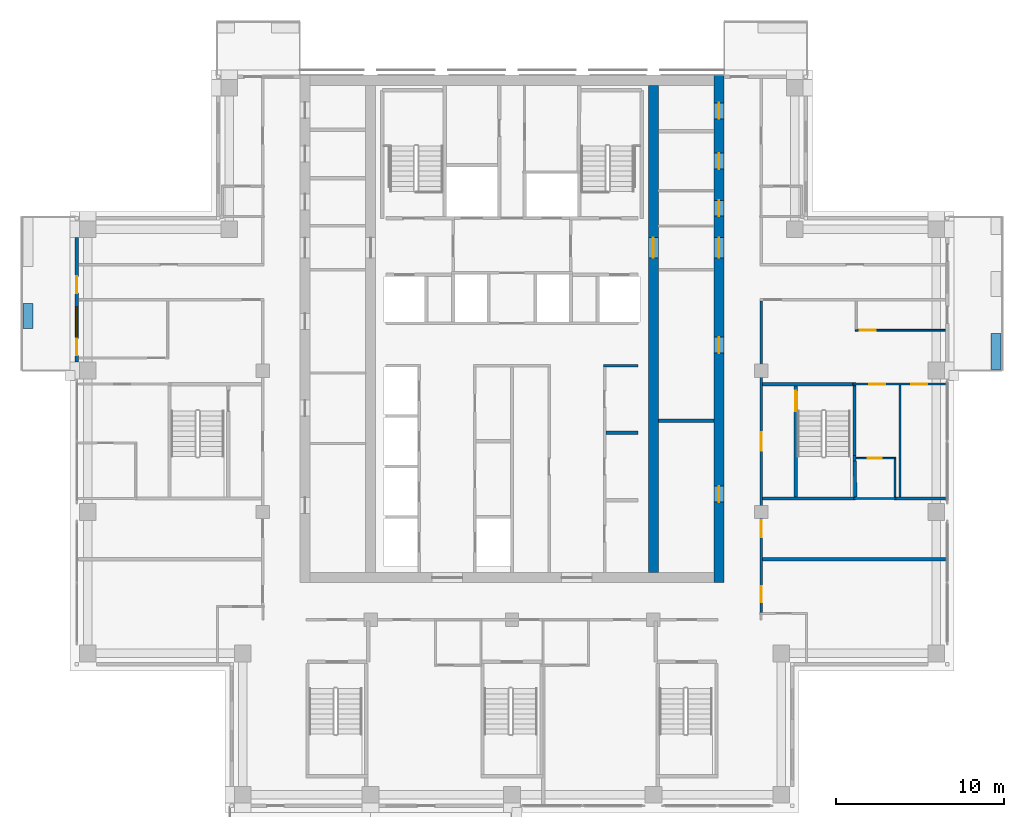
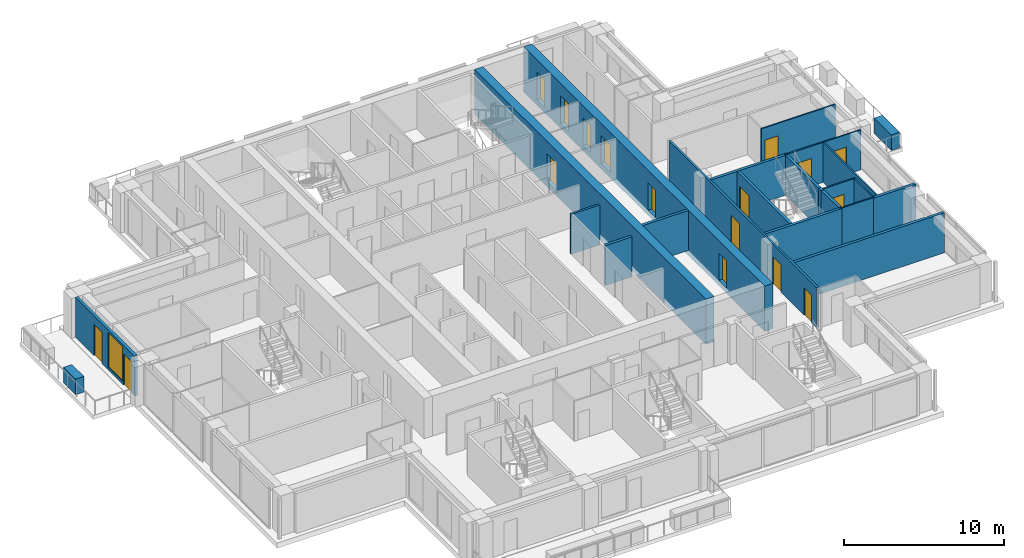
# One storey, part 9 of 15: 23 walls, 17 doors, 1 window, 18 openings.
"""IFC4 building model written with IfcOpenShell, lengths in metres."""

from ifc_helpers import new_model, si_unit, direction, frame, frame_2d, origin, place, context, subcontext, project, spatial, rectangle, extrude, material, layer, layer_set, type_object, element, fill, save


model = new_model("IFC4")

# Units and contexts
model_context = context("Model", 3, precision=1e-05, world=origin(), true_north=direction((0.0, 1.0)))
body_context = subcontext(model_context, "Body", "Model", "MODEL_VIEW")
ifc_project = project(units=[si_unit("LENGTHUNIT", "METRE"), si_unit("AREAUNIT", "SQUARE_METRE"), si_unit("VOLUMEUNIT", "CUBIC_METRE"), si_unit("PLANEANGLEUNIT", "RADIAN"), si_unit("MASSUNIT", "GRAM", prefix="KILO")], contexts=[model_context])

# Site, building, storey
site_placement = place(None, origin())
site = spatial("IfcSite", under=ifc_project, at=site_placement, CompositionType="ELEMENT")
building_placement = place(site_placement, origin())
building = spatial("IfcBuilding", under=site, at=building_placement, Name="Vermilion Ogive Tower", CompositionType="ELEMENT")
storey_placement = place(building_placement, frame((0.0, 0.0, 210.050048828125)))
storey = spatial("IfcBuildingStorey", under=building, at=storey_placement, Name="L55", CompositionType="ELEMENT", Elevation=210.050048828125)

# Wall, openings, doors
ifc_material_1 = material(Name="Concrete B60", Category="concrete")
ifc_layer_1 = layer(ifc_material_1, 0.60009765625)
ifc_layer_set_1 = layer_set([ifc_layer_1], Name="Core wall 600 B60")
wall_type_1 = type_object("IfcWallType", Name="Core wall 600 B60", PredefinedType="SHEAR", material=ifc_layer_set_1)
wall_1_placement = place(storey_placement, frame((12.300048828125, -8.39990234375, -0.400146484375), z_axis=(0.0, 0.0, 1.0), x_axis=(0.0, 1.0, 0.0)))
wall_1 = element("IfcWall", 1, at=wall_1_placement, inside=storey, type_object=wall_type_1, Name="L55-CORE-E", PredefinedType="SHEAR", context=body_context, shape_type="SweptSolid", body=[
    extrude(rectangle(XDim=30.14990234375, YDim=0.60009765625, at=frame_2d((15.074951171875, 0.0))), origin(), (0.0, 0.0, 1.0), 3.4501953125),
])
opening_1_placement = place(wall_1_placement, frame((4.78759765625, 0.0, 0.39990234375)))
opening_1 = element("IfcOpeningElement", 2, at=opening_1_placement, cuts=wall_1, Name="Opening DAC089", PredefinedType="OPENING", context=body_context, shape_type="SweptSolid", body=[
    extrude(rectangle(XDim=0.949951171875, YDim=2.10009765625, at=frame_2d((0.47509765625, 1.050048828125))), frame((0.0, 0.31005859375, 0.0), z_axis=(0.0, -1.0, 0.0), x_axis=(1.0, 0.0, 0.0)), (0.0, 0.0, 1.0), 0.6201171875),
])
opening_2_placement = place(wall_1_placement, frame((13.6376953125, 0.0, 0.39990234375)))
opening_2 = element("IfcOpeningElement", 3, at=opening_2_placement, cuts=wall_1, Name="Opening DAC090", PredefinedType="OPENING", context=body_context, shape_type="SweptSolid", body=[
    extrude(rectangle(XDim=0.949951171875, YDim=2.10009765625, at=frame_2d((0.47509765625, 1.050048828125))), frame((0.0, 0.31005859375, 0.0), z_axis=(0.0, -1.0, 0.0), x_axis=(1.0, 0.0, 0.0)), (0.0, 0.0, 1.0), 0.6201171875),
])
opening_3_placement = place(wall_1_placement, frame((21.7705078125, 0.0, 0.39990234375)))
opening_3 = element("IfcOpeningElement", 4, at=opening_3_placement, cuts=wall_1, Name="Opening DAC091", PredefinedType="OPENING", context=body_context, shape_type="SweptSolid", body=[
    extrude(rectangle(XDim=0.949951171875, YDim=2.10009765625, at=frame_2d((0.47509765625, 1.050048828125))), frame((0.0, 0.31005859375, 0.0), z_axis=(0.0, -1.0, 0.0), x_axis=(1.0, 0.0, 0.0)), (0.0, 0.0, 1.0), 0.6201171875),
])
opening_4_placement = place(wall_1_placement, frame((24.57568359375, 0.0, 0.39990234375)))
opening_4 = element("IfcOpeningElement", 5, at=opening_4_placement, cuts=wall_1, Name="Opening DAC092", PredefinedType="OPENING", context=body_context, shape_type="SweptSolid", body=[
    extrude(rectangle(XDim=0.949951171875, YDim=2.10009765625, at=frame_2d((0.47509765625, 1.050048828125))), frame((0.0, 0.31005859375, 0.0), z_axis=(0.0, -1.0, 0.0), x_axis=(1.0, 0.0, 0.0)), (0.0, 0.0, 1.0), 0.6201171875),
])
opening_5_placement = place(wall_1_placement, frame((27.555419921875, 0.0, 0.39990234375)))
opening_5 = element("IfcOpeningElement", 6, at=opening_5_placement, cuts=wall_1, Name="Opening DAC093", PredefinedType="OPENING", context=body_context, shape_type="SweptSolid", body=[
    extrude(rectangle(XDim=0.949951171875, YDim=2.10009765625, at=frame_2d((0.47509765625, 1.050048828125))), frame((0.0, 0.31005859375, 0.0), z_axis=(0.0, -1.0, 0.0), x_axis=(1.0, 0.0, 0.0)), (0.0, 0.0, 1.0), 0.6201171875),
])
opening_6_placement = place(wall_1_placement, frame((19.300048828125, 0.0, 0.39990234375)))
opening_6 = element("IfcOpeningElement", 7, at=opening_6_placement, cuts=wall_1, Name="Opening DAL022", PredefinedType="OPENING", context=body_context, shape_type="SweptSolid", body=[
    extrude(rectangle(XDim=1.199951171875, YDim=2.10009765625, at=frame_2d((0.60009765625, 1.050048828125))), frame((0.0, 0.31005859375, 0.0), z_axis=(0.0, -1.0, 0.0), x_axis=(1.0, 0.0, 0.0)), (0.0, 0.0, 1.0), 0.6201171875),
])
ifc_material_2 = material(Name="Timber door leaf", Category="wood")
door_type_1 = type_object("IfcDoorType", Name="Link door 1200 x 2100 FD60S", OperationType="SINGLE_SWING_LEFT", PredefinedType="DOOR", material=ifc_material_2)
door_1_placement = place(opening_6_placement, origin())
door_1 = element("IfcDoor", 8, at=door_1_placement, inside=storey, type_object=door_type_1, Name="L55-CKE-XL", OperationType="SINGLE_SWING_LEFT", OverallHeight=2.10009765625, OverallWidth=1.199951171875, PredefinedType="DOOR", context=body_context, shape_type="SweptSolid", body=[
    extrude(rectangle(XDim=1.199951171875, YDim=2.10009765625, at=frame_2d((0.60009765625, 1.050048828125))), frame((0.0, 0.02490234375, 0.0), z_axis=(0.0, -1.0, 0.0), x_axis=(1.0, 0.0, 0.0)), (0.0, 0.0, 1.0), 0.050048828125),
])
fill(opening_6, door_1)
ifc_material_3 = material(Name="Timber door leaf", Category="wood")
door_type_2 = type_object("IfcDoorType", Name="Service door 950 x 2100 FD60", OperationType="SINGLE_SWING_LEFT", PredefinedType="DOOR", material=ifc_material_3)
door_2_placement = place(opening_1_placement, origin())
door_2 = element("IfcDoor", 9, at=door_2_placement, inside=storey, type_object=door_type_2, Name="L55-CKE-XR0", OperationType="SINGLE_SWING_LEFT", OverallHeight=2.10009765625, OverallWidth=0.949951171875, PredefinedType="DOOR", context=body_context, shape_type="SweptSolid", body=[
    extrude(rectangle(XDim=0.949951171875, YDim=2.10009765625, at=frame_2d((0.47509765625, 1.050048828125))), frame((0.0, 0.02490234375, 0.0), z_axis=(0.0, -1.0, 0.0), x_axis=(1.0, 0.0, 0.0)), (0.0, 0.0, 1.0), 0.050048828125),
])
fill(opening_1, door_2)
door_3_placement = place(opening_2_placement, origin())
door_3 = element("IfcDoor", 10, at=door_3_placement, inside=storey, type_object=door_type_2, Name="L55-CKE-XR1", OperationType="SINGLE_SWING_LEFT", OverallHeight=2.10009765625, OverallWidth=0.949951171875, PredefinedType="DOOR", context=body_context, shape_type="SweptSolid", body=[
    extrude(rectangle(XDim=0.949951171875, YDim=2.10009765625, at=frame_2d((0.47509765625, 1.050048828125))), frame((0.0, 0.02490234375, 0.0), z_axis=(0.0, -1.0, 0.0), x_axis=(1.0, 0.0, 0.0)), (0.0, 0.0, 1.0), 0.050048828125),
])
fill(opening_2, door_3)
door_4_placement = place(opening_3_placement, origin())
door_4 = element("IfcDoor", 11, at=door_4_placement, inside=storey, type_object=door_type_2, Name="L55-CKE-XR2", OperationType="SINGLE_SWING_LEFT", OverallHeight=2.10009765625, OverallWidth=0.949951171875, PredefinedType="DOOR", context=body_context, shape_type="SweptSolid", body=[
    extrude(rectangle(XDim=0.949951171875, YDim=2.10009765625, at=frame_2d((0.47509765625, 1.050048828125))), frame((0.0, 0.02490234375, 0.0), z_axis=(0.0, -1.0, 0.0), x_axis=(1.0, 0.0, 0.0)), (0.0, 0.0, 1.0), 0.050048828125),
])
fill(opening_3, door_4)
door_5_placement = place(opening_4_placement, origin())
door_5 = element("IfcDoor", 12, at=door_5_placement, inside=storey, type_object=door_type_2, Name="L55-CKE-XR3", OperationType="SINGLE_SWING_LEFT", OverallHeight=2.10009765625, OverallWidth=0.949951171875, PredefinedType="DOOR", context=body_context, shape_type="SweptSolid", body=[
    extrude(rectangle(XDim=0.949951171875, YDim=2.10009765625, at=frame_2d((0.47509765625, 1.050048828125))), frame((0.0, 0.02490234375, 0.0), z_axis=(0.0, -1.0, 0.0), x_axis=(1.0, 0.0, 0.0)), (0.0, 0.0, 1.0), 0.050048828125),
])
fill(opening_4, door_5)
door_6_placement = place(opening_5_placement, origin())
door_6 = element("IfcDoor", 13, at=door_6_placement, inside=storey, type_object=door_type_2, Name="L55-CKE-XR4", OperationType="SINGLE_SWING_LEFT", OverallHeight=2.10009765625, OverallWidth=0.949951171875, PredefinedType="DOOR", context=body_context, shape_type="SweptSolid", body=[
    extrude(rectangle(XDim=0.949951171875, YDim=2.10009765625, at=frame_2d((0.47509765625, 1.050048828125))), frame((0.0, 0.02490234375, 0.0), z_axis=(0.0, -1.0, 0.0), x_axis=(1.0, 0.0, 0.0)), (0.0, 0.0, 1.0), 0.050048828125),
])
fill(opening_5, door_6)

# Wall, opening, door
wall_2_placement = place(storey_placement, frame((8.39990234375, -7.800048828125, -0.400146484375), z_axis=(0.0, 0.0, 1.0), x_axis=(0.0, 1.0, 0.0)))
wall_2 = element("IfcWall", 14, at=wall_2_placement, inside=storey, type_object=wall_type_1, Name="L55-CORE-WEB2", PredefinedType="SHEAR", context=body_context, shape_type="SweptSolid", body=[
    extrude(rectangle(XDim=28.949951171875, YDim=0.60009765625, at=frame_2d((14.47509765625, 0.0))), origin(), (0.0, 0.0, 1.0), 3.4501953125),
])
opening_7_placement = place(wall_2_placement, frame((18.699951171875, 0.0, 0.39990234375)))
opening_7 = element("IfcOpeningElement", 15, at=opening_7_placement, cuts=wall_2, Name="Opening DAO017", PredefinedType="OPENING", context=body_context, shape_type="SweptSolid", body=[
    extrude(rectangle(XDim=1.199951171875, YDim=2.10009765625, at=frame_2d((0.60009765625, 1.050048828125))), frame((0.0, 0.31005859375, 0.0), z_axis=(0.0, -1.0, 0.0), x_axis=(1.0, 0.0, 0.0)), (0.0, 0.0, 1.0), 0.6201171875),
])
door_7_placement = place(opening_7_placement, origin())
door_7 = element("IfcDoor", 16, at=door_7_placement, inside=storey, type_object=door_type_1, Name="L55-CKE-XW", OperationType="SINGLE_SWING_LEFT", OverallHeight=2.10009765625, OverallWidth=1.199951171875, PredefinedType="DOOR", context=body_context, shape_type="SweptSolid", body=[
    extrude(rectangle(XDim=1.199951171875, YDim=2.10009765625, at=frame_2d((0.60009765625, 1.050048828125))), frame((0.0, 0.02490234375, 0.0), z_axis=(0.0, -1.0, 0.0), x_axis=(1.0, 0.0, 0.0)), (0.0, 0.0, 1.0), 0.050048828125),
])
fill(opening_7, door_7)

# Wall
ifc_material_4 = material(Name="Gypsum board partition on steel studs", Category="steel")
ifc_layer_2 = layer(ifc_material_4, 0.10009765625)
ifc_layer_set_2 = layer_set([ifc_layer_2], Name="Partition 100 bath")
wall_type_2 = type_object("IfcWallType", Name="Partition 100 bath", PredefinedType="PARTITIONING", material=ifc_layer_set_2)
wall_3_placement = place(storey_placement, frame((20.300048828125, -3.39990234375, 0.0), z_axis=(0.0, 0.0, 1.0), x_axis=(1.0, 0.0, 0.0)))
element("IfcWall", 17, at=wall_3_placement, inside=storey, type_object=wall_type_2, Name="L55-W-W019", PredefinedType="PARTITIONING", context=body_context, shape_type="SweptSolid", body=[
    extrude(rectangle(XDim=2.5, YDim=0.10009765625, at=frame_2d((1.25, 0.0))), origin(), (0.0, 0.0, 1.0), 3.050048828125),
])

# Wall, opening, door
wall_4_placement = place(storey_placement, frame((20.449951171875, -1.0, 0.0), z_axis=(0.0, 0.0, 1.0), x_axis=(1.0, 0.0, 0.0)))
wall_4 = element("IfcWall", 18, at=wall_4_placement, inside=storey, type_object=wall_type_2, Name="L55-W-W021", PredefinedType="PARTITIONING", context=body_context, shape_type="SweptSolid", body=[
    extrude(rectangle(XDim=2.35009765625, YDim=0.10009765625, at=frame_2d((1.175048828125, 0.0))), origin(), (0.0, 0.0, 1.0), 3.050048828125),
])
opening_8_placement = place(wall_4_placement, frame((0.675048828125, 0.0, 0.0)))
opening_8 = element("IfcOpeningElement", 19, at=opening_8_placement, cuts=wall_4, Name="Opening D4G5019", PredefinedType="OPENING", context=body_context, shape_type="SweptSolid", body=[
    extrude(rectangle(XDim=0.85009765625, YDim=2.10009765625, at=frame_2d((0.425048828125, 1.050048828125))), frame((0.0, 0.06005859375, 0.0), z_axis=(0.0, -1.0, 0.0), x_axis=(1.0, 0.0, 0.0)), (0.0, 0.0, 1.0), 0.1201171875),
])
ifc_material_5 = material(Name="Timber door leaf", Category="wood")
door_type_3 = type_object("IfcDoorType", Name="Bath door 850 x 2100 FD30", OperationType="SINGLE_SWING_LEFT", PredefinedType="DOOR", material=ifc_material_5)
door_8_placement = place(opening_8_placement, origin())
door_8 = element("IfcDoor", 20, at=door_8_placement, inside=storey, type_object=door_type_3, Name="L55-D-D019", OperationType="SINGLE_SWING_RIGHT", OverallHeight=2.10009765625, OverallWidth=0.85009765625, PredefinedType="DOOR", context=body_context, shape_type="SweptSolid", body=[
    extrude(rectangle(XDim=0.85009765625, YDim=2.10009765625, at=frame_2d((0.425048828125, 1.050048828125))), frame((0.0, 0.02490234375, 0.0), z_axis=(0.0, -1.0, 0.0), x_axis=(1.0, 0.0, 0.0)), (0.0, 0.0, 1.0), 0.050048828125),
])
fill(opening_8, door_8)

# Wall
wall_5_placement = place(storey_placement, frame((22.75, -3.300048828125, 0.0), z_axis=(0.0, 0.0, 1.0), x_axis=(0.0, 1.0, 0.0)))
element("IfcWall", 21, at=wall_5_placement, inside=storey, type_object=wall_type_2, Name="L55-W-W070", PredefinedType="PARTITIONING", context=body_context, shape_type="SweptSolid", body=[
    extrude(rectangle(XDim=2.25, YDim=0.10009765625, at=frame_2d((1.125, 0.0))), origin(), (0.0, 0.0, 1.0), 3.050048828125),
])

# Wall, openings, doors
ifc_material_6 = material(Name="Gypsum board partition on steel studs", Category="steel")
ifc_layer_3 = layer(ifc_material_6, 0.10009765625)
ifc_layer_set_3 = layer_set([ifc_layer_3], Name="Partition 100 inner")
wall_type_3 = type_object("IfcWallType", Name="Partition 100 inner", PredefinedType="PARTITIONING", material=ifc_layer_set_3)
wall_6_placement = place(storey_placement, frame((20.25, 3.39990234375, 0.0), z_axis=(0.0, 0.0, 1.0), x_axis=(1.0, 0.0, 0.0)))
wall_6 = element("IfcWall", 22, at=wall_6_placement, inside=storey, type_object=wall_type_3, Name="L55-W-W026", PredefinedType="PARTITIONING", context=body_context, shape_type="SweptSolid", body=[
    extrude(rectangle(XDim=5.5, YDim=0.10009765625, at=frame_2d((2.75, 0.0))), origin(), (0.0, 0.0, 1.0), 3.050048828125),
])
opening_9_placement = place(wall_6_placement, frame((3.474853515625, 0.0, 0.0)))
opening_9 = element("IfcOpeningElement", 23, at=opening_9_placement, cuts=wall_6, Name="Opening D4G5015", PredefinedType="OPENING", context=body_context, shape_type="SweptSolid", body=[
    extrude(rectangle(XDim=0.949951171875, YDim=2.10009765625, at=frame_2d((0.47509765625, 1.050048828125))), frame((0.0, 0.06005859375, 0.0), z_axis=(0.0, -1.0, 0.0), x_axis=(1.0, 0.0, 0.0)), (0.0, 0.0, 1.0), 0.1201171875),
])
opening_10_placement = place(wall_6_placement, frame((0.97509765625, 0.0, 0.0)))
opening_10 = element("IfcOpeningElement", 24, at=opening_10_placement, cuts=wall_6, Name="Opening D4G5018", PredefinedType="OPENING", context=body_context, shape_type="SweptSolid", body=[
    extrude(rectangle(XDim=0.949951171875, YDim=2.10009765625, at=frame_2d((0.47509765625, 1.050048828125))), frame((0.0, 0.06005859375, 0.0), z_axis=(0.0, -1.0, 0.0), x_axis=(1.0, 0.0, 0.0)), (0.0, 0.0, 1.0), 0.1201171875),
])
ifc_material_7 = material(Name="Timber door leaf", Category="wood")
door_type_4 = type_object("IfcDoorType", Name="Inner door 950 x 2100 FD30", OperationType="SINGLE_SWING_LEFT", PredefinedType="DOOR", material=ifc_material_7)
door_9_placement = place(opening_9_placement, origin())
door_9 = element("IfcDoor", 25, at=door_9_placement, inside=storey, type_object=door_type_4, Name="L55-D-D015", OperationType="SINGLE_SWING_RIGHT", OverallHeight=2.10009765625, OverallWidth=0.949951171875, PredefinedType="DOOR", context=body_context, shape_type="SweptSolid", body=[
    extrude(rectangle(XDim=0.949951171875, YDim=2.10009765625, at=frame_2d((0.47509765625, 1.050048828125))), frame((0.0, 0.02490234375, 0.0), z_axis=(0.0, -1.0, 0.0), x_axis=(1.0, 0.0, 0.0)), (0.0, 0.0, 1.0), 0.050048828125),
])
fill(opening_9, door_9)
door_10_placement = place(opening_10_placement, origin())
door_10 = element("IfcDoor", 26, at=door_10_placement, inside=storey, type_object=door_type_4, Name="L55-D-D018", OperationType="SINGLE_SWING_RIGHT", OverallHeight=2.10009765625, OverallWidth=0.949951171875, PredefinedType="DOOR", context=body_context, shape_type="SweptSolid", body=[
    extrude(rectangle(XDim=0.949951171875, YDim=2.10009765625, at=frame_2d((0.47509765625, 1.050048828125))), frame((0.0, 0.02490234375, 0.0), z_axis=(0.0, -1.0, 0.0), x_axis=(1.0, 0.0, 0.0)), (0.0, 0.0, 1.0), 0.050048828125),
])
fill(opening_10, door_10)

# Wall, opening, door
wall_7_placement = place(storey_placement, frame((20.39990234375, 6.60009765625, 0.0), z_axis=(0.0, 0.0, 1.0), x_axis=(1.0, 0.0, 0.0)))
wall_7 = element("IfcWall", 27, at=wall_7_placement, inside=storey, type_object=wall_type_3, Name="L55-W-W028", PredefinedType="PARTITIONING", context=body_context, shape_type="SweptSolid", body=[
    extrude(rectangle(XDim=5.35009765625, YDim=0.10009765625, at=frame_2d((2.675048828125, 0.0))), origin(), (0.0, 0.0, 1.0), 3.050048828125),
])
opening_11_placement = place(wall_7_placement, frame((0.25, 0.0, 0.0)))
opening_11 = element("IfcOpeningElement", 28, at=opening_11_placement, cuts=wall_7, Name="Opening D4G5016", PredefinedType="OPENING", context=body_context, shape_type="SweptSolid", body=[
    extrude(rectangle(XDim=0.949951171875, YDim=2.10009765625, at=frame_2d((0.47509765625, 1.050048828125))), frame((0.0, 0.06005859375, 0.0), z_axis=(0.0, -1.0, 0.0), x_axis=(1.0, 0.0, 0.0)), (0.0, 0.0, 1.0), 0.1201171875),
])
door_11_placement = place(opening_11_placement, origin())
door_11 = element("IfcDoor", 29, at=door_11_placement, inside=storey, type_object=door_type_4, Name="L55-D-D016", OperationType="SINGLE_SWING_LEFT", OverallHeight=2.10009765625, OverallWidth=0.949951171875, PredefinedType="DOOR", context=body_context, shape_type="SweptSolid", body=[
    extrude(rectangle(XDim=0.949951171875, YDim=2.10009765625, at=frame_2d((0.47509765625, 1.050048828125))), frame((0.0, 0.02490234375, 0.0), z_axis=(0.0, -1.0, 0.0), x_axis=(1.0, 0.0, 0.0)), (0.0, 0.0, 1.0), 0.050048828125),
])
fill(opening_11, door_11)

# Wall
wall_8_placement = place(storey_placement, frame((23.050048828125, -3.300048828125, 0.0), z_axis=(0.0, 0.0, 1.0), x_axis=(0.0, 1.0, 0.0)))
element("IfcWall", 30, at=wall_8_placement, inside=storey, type_object=wall_type_3, Name="L55-W-W071", PredefinedType="PARTITIONING", context=body_context, shape_type="SweptSolid", body=[
    extrude(rectangle(XDim=6.650146484375, YDim=0.10009765625, at=frame_2d((3.3251953125, 0.0))), origin(), (0.0, 0.0, 1.0), 3.050048828125),
])

# Wall, openings, doors
ifc_material_8 = material(Name="Gypsum board partition on steel studs", Category="steel")
ifc_layer_4 = layer(ifc_material_8, 0.14990234375)
ifc_layer_set_4 = layer_set([ifc_layer_4], Name="Partition 150 corridor")
wall_type_4 = type_object("IfcWallType", Name="Partition 150 corridor", PredefinedType="PARTITIONING", material=ifc_layer_set_4)
wall_9_placement = place(storey_placement, frame((14.800048828125, -10.179931640625, 0.0), z_axis=(0.0, 0.0, 1.0), x_axis=(0.0, 1.0, 0.0)))
wall_9 = element("IfcWall", 31, at=wall_9_placement, inside=storey, type_object=wall_type_4, Name="L55-W-W060", PredefinedType="PARTITIONING", context=body_context, shape_type="SweptSolid", body=[
    extrude(rectangle(XDim=18.5048828125, YDim=0.14990234375, at=frame_2d((9.25244140625, 0.0))), origin(), (0.0, 0.0, 1.0), 3.050048828125),
])
opening_12_placement = place(wall_9_placement, frame((0.6298828125, 0.0, 0.0)))
opening_12 = element("IfcOpeningElement", 32, at=opening_12_placement, cuts=wall_9, Name="Opening D4G5013", PredefinedType="OPENING", context=body_context, shape_type="SweptSolid", body=[
    extrude(rectangle(XDim=0.949951171875, YDim=2.10009765625, at=frame_2d((0.47509765625, 1.050048828125))), frame((0.0, 0.0849609375, 0.0), z_axis=(0.0, -1.0, 0.0), x_axis=(1.0, 0.0, 0.0)), (0.0, 0.0, 1.0), 0.169921875),
])
opening_13_placement = place(wall_9_placement, frame((9.6298828125, 0.0, 0.0)))
opening_13 = element("IfcOpeningElement", 33, at=opening_13_placement, cuts=wall_9, Name="Opening D4G5028", PredefinedType="OPENING", context=body_context, shape_type="SweptSolid", body=[
    extrude(rectangle(XDim=1.10009765625, YDim=2.10009765625, at=frame_2d((0.550048828125, 1.050048828125))), frame((0.0, 0.0849609375, 0.0), z_axis=(0.0, -1.0, 0.0), x_axis=(1.0, 0.0, 0.0)), (0.0, 0.0, 1.0), 0.169921875),
])
opening_14_placement = place(wall_9_placement, frame((4.47998046875, 0.0, 0.0)))
opening_14 = element("IfcOpeningElement", 34, at=opening_14_placement, cuts=wall_9, Name="Opening D4G5033", PredefinedType="OPENING", context=body_context, shape_type="SweptSolid", body=[
    extrude(rectangle(XDim=1.0, YDim=2.10009765625, at=frame_2d((0.5, 1.050048828125))), frame((0.0, 0.0849609375, 0.0), z_axis=(0.0, -1.0, 0.0), x_axis=(1.0, 0.0, 0.0)), (0.0, 0.0, 1.0), 0.169921875),
])
ifc_material_9 = material(Name="Timber door leaf", Category="wood")
door_type_5 = type_object("IfcDoorType", Name="Stair door 1100 x 2100 FD60S", OperationType="SINGLE_SWING_LEFT", PredefinedType="DOOR", material=ifc_material_9)
door_12_placement = place(opening_13_placement, origin())
door_12 = element("IfcDoor", 35, at=door_12_placement, inside=storey, type_object=door_type_5, Name="L55-D-D028", OperationType="SINGLE_SWING_LEFT", OverallHeight=2.10009765625, OverallWidth=1.10009765625, PredefinedType="DOOR", context=body_context, shape_type="SweptSolid", body=[
    extrude(rectangle(XDim=1.10009765625, YDim=2.10009765625, at=frame_2d((0.550048828125, 1.050048828125))), frame((0.0, 0.02490234375, 0.0), z_axis=(0.0, -1.0, 0.0), x_axis=(1.0, 0.0, 0.0)), (0.0, 0.0, 1.0), 0.050048828125),
])
fill(opening_13, door_12)
ifc_material_10 = material(Name="Timber door leaf", Category="wood")
door_type_6 = type_object("IfcDoorType", Name="Unit door 1000 x 2100 FD30S", OperationType="SINGLE_SWING_LEFT", PredefinedType="DOOR", material=ifc_material_10)
door_13_placement = place(opening_14_placement, origin())
door_13 = element("IfcDoor", 36, at=door_13_placement, inside=storey, type_object=door_type_6, Name="L55-D-D033", OperationType="SINGLE_SWING_RIGHT", OverallHeight=2.10009765625, OverallWidth=1.0, PredefinedType="DOOR", context=body_context, shape_type="SweptSolid", body=[
    extrude(rectangle(XDim=1.0, YDim=2.10009765625, at=frame_2d((0.5, 1.050048828125))), frame((0.0, 0.02490234375, 0.0), z_axis=(0.0, -1.0, 0.0), x_axis=(1.0, 0.0, 0.0)), (0.0, 0.0, 1.0), 0.050048828125),
])
fill(opening_14, door_13)
ifc_material_11 = material(Name="Timber door leaf", Category="wood")
door_type_7 = type_object("IfcDoorType", Name="Unit door 950 x 2100 FD30S", OperationType="SINGLE_SWING_LEFT", PredefinedType="DOOR", material=ifc_material_11)
door_14_placement = place(opening_12_placement, origin())
door_14 = element("IfcDoor", 37, at=door_14_placement, inside=storey, type_object=door_type_7, Name="L55-D-D013", OperationType="SINGLE_SWING_RIGHT", OverallHeight=2.10009765625, OverallWidth=0.949951171875, PredefinedType="DOOR", context=body_context, shape_type="SweptSolid", body=[
    extrude(rectangle(XDim=0.949951171875, YDim=2.10009765625, at=frame_2d((0.47509765625, 1.050048828125))), frame((0.0, 0.02490234375, 0.0), z_axis=(0.0, -1.0, 0.0), x_axis=(1.0, 0.0, 0.0)), (0.0, 0.0, 1.0), 0.050048828125),
])
fill(opening_12, door_14)

# Walls
wall_10_placement = place(storey_placement, frame((5.425048828125, 4.5, 0.0), z_axis=(0.0, 0.0, 1.0), x_axis=(1.0, 0.0, 0.0)))
element("IfcWall", 38, at=wall_10_placement, inside=storey, type_object=wall_type_4, Name="L55-CK-W-W010", PredefinedType="PARTITIONING", context=body_context, shape_type="SweptSolid", body=[
    extrude(rectangle(XDim=2.074951171875, YDim=0.14990234375, at=frame_2d((1.03759765625, 0.0))), origin(), (0.0, 0.0, 1.0), 3.050048828125),
])
ifc_material_12 = material(Name="Gypsum board partition on steel studs", Category="steel")
ifc_layer_5 = layer(ifc_material_12, 0.199951171875)
ifc_layer_set_5 = layer_set([ifc_layer_5], Name="Partition 200 party")
wall_type_5 = type_object("IfcWallType", Name="Partition 200 party", PredefinedType="PARTITIONING", material=ifc_layer_set_5)
wall_11_placement = place(storey_placement, frame((14.875, -7.0, 0.0), z_axis=(0.0, 0.0, 1.0), x_axis=(1.0, 0.0, 0.0)))
element("IfcWall", 39, at=wall_11_placement, inside=storey, type_object=wall_type_5, Name="L55-W-W015", PredefinedType="PARTITIONING", context=body_context, shape_type="SweptSolid", body=[
    extrude(rectangle(XDim=10.875, YDim=0.199951171875, at=frame_2d((5.4375, 0.0))), origin(), (0.0, 0.0, 1.0), 3.050048828125),
])
wall_12_placement = place(storey_placement, frame((22.699951171875, -3.39990234375, 0.0), z_axis=(0.0, 0.0, 1.0), x_axis=(1.0, 0.0, 0.0)))
element("IfcWall", 40, at=wall_12_placement, inside=storey, type_object=wall_type_5, Name="L55-W-W020", PredefinedType="PARTITIONING", context=body_context, shape_type="SweptSolid", body=[
    extrude(rectangle(XDim=3.050048828125, YDim=0.199951171875, at=frame_2d((1.52490234375, 0.0))), origin(), (0.0, 0.0, 1.0), 3.050048828125),
])
wall_13_placement = place(storey_placement, frame((5.574951171875, 0.5, 0.0), z_axis=(0.0, 0.0, 1.0), x_axis=(1.0, 0.0, 0.0)))
element("IfcWall", 41, at=wall_13_placement, inside=storey, type_object=wall_type_5, Name="L55-CK-W-W006", PredefinedType="PARTITIONING", context=body_context, shape_type="SweptSolid", body=[
    extrude(rectangle(XDim=1.925048828125, YDim=0.199951171875, at=frame_2d((0.96240234375, 0.0))), origin(), (0.0, 0.0, 1.0), 3.050048828125),
])
wall_14_placement = place(storey_placement, frame((8.700927734375, 1.22509765625, 0.0), z_axis=(0.0, 0.0, 1.0), x_axis=(1.0, 0.0, 0.0)))
element("IfcWall", 42, at=wall_14_placement, inside=storey, type_object=wall_type_5, Name="L55-CKE-W-W001", PredefinedType="PARTITIONING", context=body_context, shape_type="SweptSolid", body=[
    extrude(rectangle(XDim=3.298095703125, YDim=0.199951171875, at=frame_2d((1.64892578125, 0.0))), origin(), (0.0, 0.0, 1.0), 3.050048828125),
])

# Wall, opening, door
ifc_material_13 = material(Name="Concrete B60", Category="concrete")
ifc_layer_6 = layer(ifc_material_13, 0.199951171875)
ifc_layer_set_6 = layer_set([ifc_layer_6], Name="Stair shaft wall 200 Concrete B60")
wall_type_6 = type_object("IfcWallType", Name="Stair shaft wall 200 Concrete B60", PredefinedType="SOLIDWALL", material=ifc_layer_set_6)
wall_15_placement = place(storey_placement, frame((16.85009765625, -3.300048828125, 0.0), z_axis=(0.0, 0.0, 1.0), x_axis=(0.0, 1.0, 0.0)))
wall_15 = element("IfcWall", 43, at=wall_15_placement, inside=storey, type_object=wall_type_6, Name="L55-W-W064", PredefinedType="SOLIDWALL", context=body_context, shape_type="SweptSolid", body=[
    extrude(rectangle(XDim=6.60009765625, YDim=0.199951171875, at=frame_2d((3.300048828125, 0.0))), origin(), (0.0, 0.0, 1.0), 3.050048828125),
])
opening_15_placement = place(wall_15_placement, frame((5.10009765625, 0.0, 0.0)))
opening_15 = element("IfcOpeningElement", 44, at=opening_15_placement, cuts=wall_15, Name="Opening D4G5029", PredefinedType="OPENING", context=body_context, shape_type="SweptSolid", body=[
    extrude(rectangle(XDim=1.199951171875, YDim=2.10009765625, at=frame_2d((0.60009765625, 1.050048828125))), frame((0.0, 0.10986328125, 0.0), z_axis=(0.0, -1.0, 0.0), x_axis=(1.0, 0.0, 0.0)), (0.0, 0.0, 1.0), 0.219970703125),
])
ifc_material_14 = material(Name="Timber door leaf", Category="wood")
door_type_8 = type_object("IfcDoorType", Name="Stair door 1200 x 2100 FD60S", OperationType="SINGLE_SWING_LEFT", PredefinedType="DOOR", material=ifc_material_14)
door_15_placement = place(opening_15_placement, origin())
door_15 = element("IfcDoor", 45, at=door_15_placement, inside=storey, type_object=door_type_8, Name="L55-D-D029", OperationType="SINGLE_SWING_LEFT", OverallHeight=2.10009765625, OverallWidth=1.199951171875, PredefinedType="DOOR", context=body_context, shape_type="SweptSolid", body=[
    extrude(rectangle(XDim=1.199951171875, YDim=2.10009765625, at=frame_2d((0.60009765625, 1.050048828125))), frame((0.0, 0.02490234375, 0.0), z_axis=(0.0, -1.0, 0.0), x_axis=(1.0, 0.0, 0.0)), (0.0, 0.0, 1.0), 0.050048828125),
])
fill(opening_15, door_15)

# Walls
wall_16_placement = place(storey_placement, frame((20.400146484375, -3.300048828125, 0.0), z_axis=(0.0, 0.0, 1.0), x_axis=(-0.021771342749, 0.999762976227, 0.0)))
element("IfcWall", 46, at=wall_16_placement, inside=storey, type_object=wall_type_6, Name="L55-W-W067", PredefinedType="SOLIDWALL", context=body_context, shape_type="SweptSolid", body=[
    extrude(rectangle(XDim=2.130615234375, YDim=0.199951171875, at=frame_2d((1.0654296875, 0.0))), origin(), (0.0, 0.0, 1.0), 3.050048828125),
])
wall_17_placement = place(storey_placement, frame((20.35009765625, -0.830078125, 0.0), z_axis=(0.0, 0.0, 1.0), x_axis=(0.0, 1.0, 0.0)))
element("IfcWall", 47, at=wall_17_placement, inside=storey, type_object=wall_type_6, Name="L55-W-W068", PredefinedType="SOLIDWALL", context=body_context, shape_type="SweptSolid", body=[
    extrude(rectangle(XDim=4.130126953125, YDim=0.199951171875, at=frame_2d((2.06494140625, 0.0))), origin(), (0.0, 0.0, 1.0), 3.050048828125),
])
wall_18_placement = place(storey_placement, frame((20.35009765625, -1.169921875, 0.0), z_axis=(0.0, 0.0, 1.0), x_axis=(0.0, 1.0, 0.0)))
element("IfcWall", 48, at=wall_18_placement, inside=storey, type_object=wall_type_6, Name="L55-SW-ST8-E1", PredefinedType="SOLIDWALL", context=body_context, shape_type="SweptSolid", body=[
    extrude(rectangle(XDim=0.33984375, YDim=0.199951171875, at=frame_2d((0.169921875, 0.0))), origin(), (0.0, 0.0, 1.0), 3.050048828125),
])
wall_19_placement = place(storey_placement, frame((14.875, 3.39990234375, 0.0), z_axis=(0.0, 0.0, 1.0), x_axis=(1.0, 0.0, 0.0)))
element("IfcWall", 49, at=wall_19_placement, inside=storey, type_object=wall_type_6, Name="L55-W-W025-A", PredefinedType="SOLIDWALL", context=body_context, shape_type="SweptSolid", body=[
    extrude(rectangle(XDim=5.574951171875, YDim=0.199951171875, at=frame_2d((2.78759765625, 0.0))), origin(), (0.0, 0.0, 1.0), 3.050048828125),
])
wall_20_placement = place(storey_placement, frame((14.875, -3.39990234375, 0.0), z_axis=(0.0, 0.0, 1.0), x_axis=(1.0, 0.0, 0.0)))
element("IfcWall", 50, at=wall_20_placement, inside=storey, type_object=wall_type_6, Name="L55-W-W018-A", PredefinedType="SOLIDWALL", context=body_context, shape_type="SweptSolid", body=[
    extrude(rectangle(XDim=5.52490234375, YDim=0.199951171875, at=frame_2d((2.762451171875, 0.0))), origin(), (0.0, 0.0, 1.0), 3.050048828125),
])
ifc_material_15 = material(Name="Concrete B40", Category="concrete")
ifc_layer_7 = layer(ifc_material_15, 0.60009765625)
ifc_layer_set_7 = layer_set([ifc_layer_7], Name="Structural planter")
wall_type_7 = type_object("IfcWallType", Name="Structural planter", PredefinedType="USERDEFINED", material=ifc_layer_set_7)
wall_21_placement = place(storey_placement, frame((28.75, 4.260009765625, -0.0400390625), z_axis=(0.0, 0.0, 1.0), x_axis=(0.0, 1.0, 0.0)))
element("IfcWall", 51, at=wall_21_placement, inside=storey, type_object=wall_type_7, Name="Planter E03A1", ObjectType="PLANTER", PredefinedType="USERDEFINED", context=body_context, shape_type="SweptSolid", body=[
    extrude(rectangle(XDim=2.139892578125, YDim=0.60009765625, at=frame_2d((1.06982421875, 0.0))), origin(), (0.0, 0.0, 1.0), 1.199951171875),
])
wall_22_placement = place(storey_placement, frame((-28.75, 8.199951171875, -0.0400390625), z_axis=(0.0, 0.0, 1.0), x_axis=(0.0, -1.0, 0.0)))
element("IfcWall", 52, at=wall_22_placement, inside=storey, type_object=wall_type_7, Name="Planter W01A2", ObjectType="PLANTER", PredefinedType="USERDEFINED", context=body_context, shape_type="SweptSolid", body=[
    extrude(rectangle(XDim=1.5, YDim=0.60009765625, at=frame_2d((0.75, 0.0))), origin(), (0.0, 0.0, 1.0), 1.199951171875),
])

# Wall, openings, doors, window
ifc_material_16 = material(Name="Aluminium window wall framing", Category="aluminium")
ifc_layer_8 = layer(ifc_material_16, 0.199951171875)
ifc_layer_set_8 = layer_set([ifc_layer_8], Name="Window wall")
wall_type_8 = type_object("IfcWallType", Name="Window wall", PredefinedType="STANDARD", material=ifc_layer_set_8)
wall_23_placement = place(storey_placement, frame((-25.85009765625, 12.10009765625, 0.0), z_axis=(0.0, 0.0, 1.0), x_axis=(0.0, -1.0, 0.0)))
wall_23 = element("IfcWall", 53, at=wall_23_placement, inside=storey, type_object=wall_type_8, Name="Window wall W1", PredefinedType="STANDARD", context=body_context, shape_type="SweptSolid", body=[
    extrude(rectangle(XDim=7.400146484375, YDim=0.199951171875, at=frame_2d((3.7001953125, 0.0))), origin(), (0.0, 0.0, 1.0), 3.050048828125),
])
opening_16_placement = place(wall_23_placement, frame((4.10009765625, 0.0, 0.199951171875)))
opening_16 = element("IfcOpeningElement", 54, at=opening_16_placement, cuts=wall_23, Name="Opening W1-W01", PredefinedType="OPENING", context=body_context, shape_type="SweptSolid", body=[
    extrude(rectangle(XDim=1.800048828125, YDim=2.64990234375, at=frame_2d((0.89990234375, 1.324951171875))), frame((0.0, 0.10986328125, 0.0), z_axis=(0.0, -1.0, 0.0), x_axis=(1.0, 0.0, 0.0)), (0.0, 0.0, 1.0), 0.219970703125),
])
opening_17_placement = place(wall_23_placement, frame((6.0, 0.0, 0.0)))
opening_17 = element("IfcOpeningElement", 55, at=opening_17_placement, cuts=wall_23, Name="Opening D1-W01", PredefinedType="OPENING", context=body_context, shape_type="SweptSolid", body=[
    extrude(rectangle(XDim=1.0, YDim=2.39990234375, at=frame_2d((0.5, 1.199951171875))), frame((0.0, 0.10986328125, 0.0), z_axis=(0.0, -1.0, 0.0), x_axis=(1.0, 0.0, 0.0)), (0.0, 0.0, 1.0), 0.219970703125),
])
opening_18_placement = place(wall_23_placement, frame((2.300048828125, 0.0, 0.0)))
opening_18 = element("IfcOpeningElement", 56, at=opening_18_placement, cuts=wall_23, Name="Opening D1-W02", PredefinedType="OPENING", context=body_context, shape_type="SweptSolid", body=[
    extrude(rectangle(XDim=1.0, YDim=2.39990234375, at=frame_2d((0.5, 1.199951171875))), frame((0.0, 0.10986328125, 0.0), z_axis=(0.0, -1.0, 0.0), x_axis=(1.0, 0.0, 0.0)), (0.0, 0.0, 1.0), 0.219970703125),
])
ifc_material_17 = material(Name="Aluminium framed glazed door", Category="aluminium")
door_type_9 = type_object("IfcDoorType", Name="Balcony door D1", OperationType="SINGLE_SWING_LEFT", PredefinedType="DOOR", material=ifc_material_17)
door_16_placement = place(opening_17_placement, origin())
door_16 = element("IfcDoor", 57, at=door_16_placement, inside=storey, type_object=door_type_9, Name="Balcony door W01", OperationType="SINGLE_SWING_LEFT", OverallHeight=2.39990234375, OverallWidth=1.0, PredefinedType="DOOR", context=body_context, shape_type="SweptSolid", body=[
    extrude(rectangle(XDim=1.0, YDim=2.39990234375, at=frame_2d((0.5, 1.199951171875))), frame((0.0, 0.02490234375, 0.0), z_axis=(0.0, -1.0, 0.0), x_axis=(1.0, 0.0, 0.0)), (0.0, 0.0, 1.0), 0.050048828125),
])
fill(opening_17, door_16)
door_17_placement = place(opening_18_placement, origin())
door_17 = element("IfcDoor", 58, at=door_17_placement, inside=storey, type_object=door_type_9, Name="Balcony door W02", OperationType="SINGLE_SWING_LEFT", OverallHeight=2.39990234375, OverallWidth=1.0, PredefinedType="DOOR", context=body_context, shape_type="SweptSolid", body=[
    extrude(rectangle(XDim=1.0, YDim=2.39990234375, at=frame_2d((0.5, 1.199951171875))), frame((0.0, 0.02490234375, 0.0), z_axis=(0.0, -1.0, 0.0), x_axis=(1.0, 0.0, 0.0)), (0.0, 0.0, 1.0), 0.050048828125),
])
fill(opening_18, door_17)
ifc_material_18 = material(Name="Aluminium framed double glazing", Category="aluminium")
window_type = type_object("IfcWindowType", Name="Guest window W1", PartitioningType="SINGLE_PANEL", PredefinedType="WINDOW", material=ifc_material_18)
window_placement = place(opening_16_placement, origin())
window = element("IfcWindow", 59, at=window_placement, inside=storey, type_object=window_type, Name="Window W01", OverallHeight=2.64990234375, OverallWidth=1.800048828125, PartitioningType="SINGLE_PANEL", PredefinedType="WINDOW", context=body_context, shape_type="SweptSolid", body=[
    extrude(rectangle(XDim=1.800048828125, YDim=2.64990234375, at=frame_2d((0.89990234375, 1.324951171875))), frame((0.0, 0.030029296875, 0.0), z_axis=(0.0, -1.0, 0.0), x_axis=(1.0, 0.0, 0.0)), (0.0, 0.0, 1.0), 0.06005859375),
])
fill(opening_16, window)

save(model, "model.ifc")
